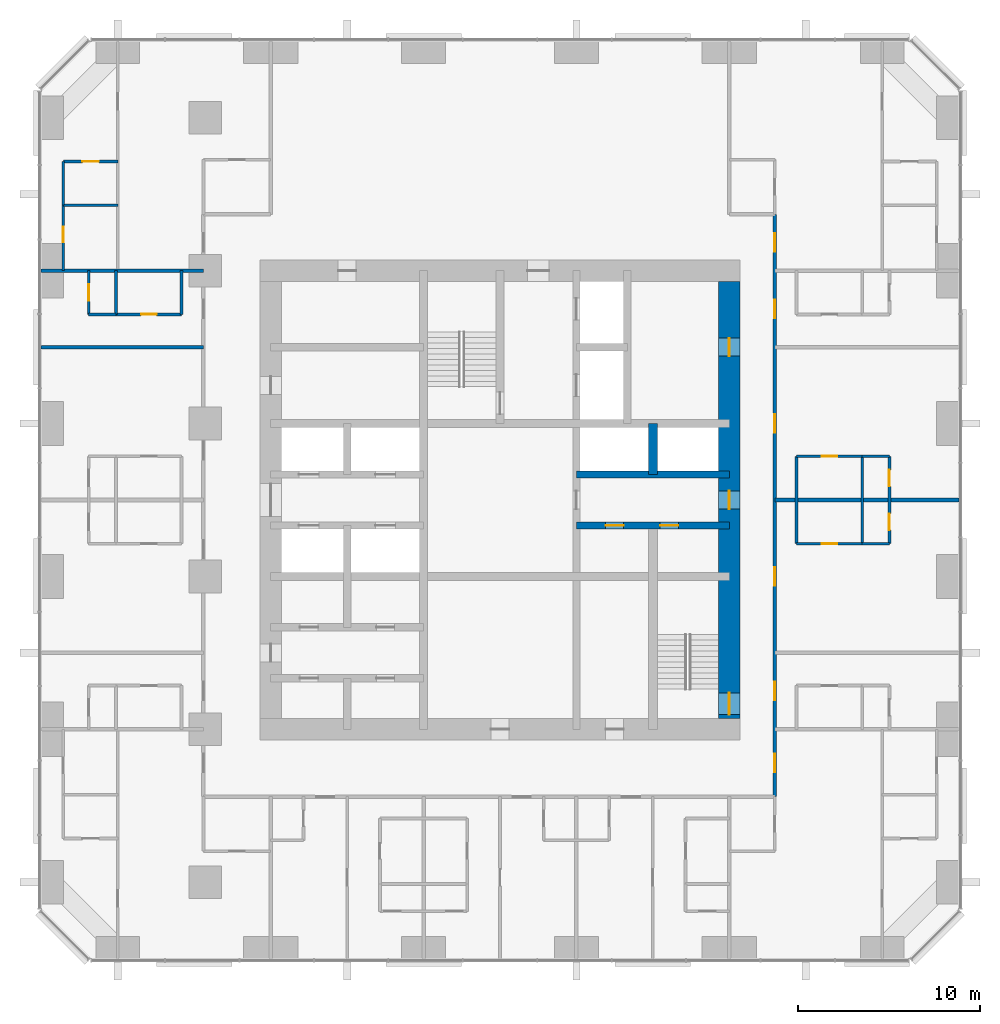
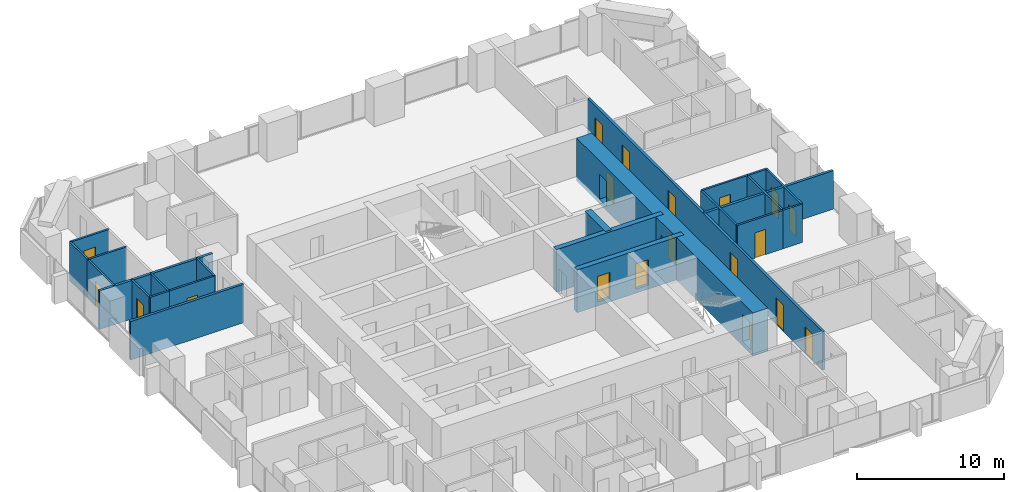
# One storey, part 11 of 13: 24 walls, 19 doors, 19 openings.
"""IFC4 building model written with IfcOpenShell, lengths in metres."""

from ifc_helpers import new_model, si_unit, direction, frame, frame_2d, origin, place, context, subcontext, project, spatial, rectangle, extrude, material, layer, layer_set, type_object, element, fill, save


model = new_model("IFC4")

# Units and contexts
model_context = context("Model", 3, precision=1e-05, world=origin(), true_north=direction((0.0, 1.0)))
body_context = subcontext(model_context, "Body", "Model", "MODEL_VIEW")
ifc_project = project(units=[si_unit("LENGTHUNIT", "METRE"), si_unit("AREAUNIT", "SQUARE_METRE"), si_unit("VOLUMEUNIT", "CUBIC_METRE"), si_unit("PLANEANGLEUNIT", "RADIAN"), si_unit("MASSUNIT", "GRAM", prefix="KILO")], contexts=[model_context])

# Site, building, storey
site_placement = place(None, origin())
site = spatial("IfcSite", under=ifc_project, at=site_placement, CompositionType="ELEMENT")
building_placement = place(site_placement, origin())
building = spatial("IfcBuilding", under=site, at=building_placement, Name="Dunama Terrace Hotel", CompositionType="ELEMENT")
storey_placement = place(building_placement, frame((0.0, 0.0, 216.60009765625)))
storey = spatial("IfcBuildingStorey", under=building, at=storey_placement, Name="L56", CompositionType="ELEMENT", Elevation=216.60009765625)

# Wall, opening, door
ifc_material_1 = material(Name="Gypsum board partition", Category="masonry")
ifc_layer_1 = layer(ifc_material_1, 0.14990234375)
ifc_layer_set_1 = layer_set([ifc_layer_1], Name="Bathroom partition 150")
wall_type_1 = type_object("IfcWallType", Name="Bathroom partition 150", PredefinedType="PARTITIONING", material=ifc_layer_set_1)
wall_1_placement = place(storey_placement, frame((5.39990234375, 42.0, 0.0), z_axis=(0.0, 0.0, 1.0), x_axis=(0.0, 1.0, 0.0)))
wall_1 = element("IfcWall", 1, at=wall_1_placement, inside=storey, type_object=wall_type_1, Name="Bathroom partition 150 L56", PredefinedType="PARTITIONING", context=body_context, shape_type="SweptSolid", body=[
    extrude(rectangle(XDim=3.60009765625, YDim=0.14990234375, at=frame_2d((1.800048828125, 0.0))), origin(), (0.0, 0.0, 1.0), 3.199951171875),
])
opening_1_placement = place(wall_1_placement, frame((1.574951171875, 0.0, 0.0)))
opening_1 = element("IfcOpeningElement", 2, at=opening_1_placement, cuts=wall_1, Name="Opening L56-066", PredefinedType="OPENING", context=body_context, shape_type="SweptSolid", body=[
    extrude(rectangle(XDim=0.85009765625, YDim=2.10009765625, at=frame_2d((0.425048828125, 1.050048828125))), frame((0.0, 0.0849609375, 0.0), z_axis=(0.0, -1.0, 0.0), x_axis=(1.0, 0.0, 0.0)), (0.0, 0.0, 1.0), 0.169921875),
])
ifc_material_2 = material(Name="Timber door with steel frame", Category="steel")
door_type_1 = type_object("IfcDoorType", Name="Bathroom door 850", OperationType="SINGLE_SWING_LEFT", PredefinedType="DOOR", material=ifc_material_2)
door_1_placement = place(opening_1_placement, frame((0.85009765625, 0.0, 0.0), z_axis=(0.0, 0.0, 1.0), x_axis=(-1.0, 0.0, 0.0)))
door_1 = element("IfcDoor", 3, at=door_1_placement, inside=storey, type_object=door_type_1, Name="Door to en-suite bathroom L56-066, type D2", OperationType="SINGLE_SWING_RIGHT", OverallHeight=2.10009765625, OverallWidth=0.85009765625, PredefinedType="DOOR", context=body_context, shape_type="SweptSolid", body=[
    extrude(rectangle(XDim=0.85009765625, YDim=2.10009765625, at=frame_2d((0.425048828125, 1.050048828125))), frame((0.0, 0.025146484375, 0.0), z_axis=(0.0, -1.0, 0.0), x_axis=(1.0, 0.0, 0.0)), (0.0, 0.0, 1.0), 0.050048828125),
])
fill(opening_1, door_1)

# Walls
wall_2_placement = place(storey_placement, frame((11.89990234375, 39.60009765625, 0.0), z_axis=(0.0, 0.0, 1.0), x_axis=(0.0, 1.0, 0.0)))
element("IfcWall", 4, at=wall_2_placement, inside=storey, type_object=wall_type_1, Name="Bathroom partition 150 L56", PredefinedType="PARTITIONING", context=body_context, shape_type="SweptSolid", body=[
    extrude(rectangle(XDim=2.39990234375, YDim=0.14990234375, at=frame_2d((1.199951171875, 0.0))), origin(), (0.0, 0.0, 1.0), 3.199951171875),
])
wall_3_placement = place(storey_placement, frame((45.699951171875, 27.0, 0.0), z_axis=(0.0, 0.0, 1.0), x_axis=(0.0, 1.0, 0.0)))
element("IfcWall", 5, at=wall_3_placement, inside=storey, type_object=wall_type_1, Name="Bathroom partition 150 L56", PredefinedType="PARTITIONING", context=body_context, shape_type="SweptSolid", body=[
    extrude(rectangle(XDim=4.800048828125, YDim=0.14990234375, at=frame_2d((2.39990234375, 0.0))), origin(), (0.0, 0.0, 1.0), 3.199951171875),
])

# Wall, opening, door
wall_4_placement = place(storey_placement, frame((45.699951171875, 27.0, 0.0), z_axis=(0.0, 0.0, 1.0), x_axis=(1.0, 0.0, 0.0)))
wall_4 = element("IfcWall", 6, at=wall_4_placement, inside=storey, type_object=wall_type_1, Name="Bathroom partition 150 L56", PredefinedType="PARTITIONING", context=body_context, shape_type="SweptSolid", body=[
    extrude(rectangle(XDim=3.60009765625, YDim=0.14990234375, at=frame_2d((1.800048828125, 0.0))), origin(), (0.0, 0.0, 1.0), 3.199951171875),
])
opening_2_placement = place(wall_4_placement, frame((1.375, 0.0, 0.0)))
opening_2 = element("IfcOpeningElement", 7, at=opening_2_placement, cuts=wall_4, Name="Opening L56-028", PredefinedType="OPENING", context=body_context, shape_type="SweptSolid", body=[
    extrude(rectangle(XDim=0.85009765625, YDim=2.10009765625, at=frame_2d((0.425048828125, 1.050048828125))), frame((0.0, 0.0849609375, 0.0), z_axis=(0.0, -1.0, 0.0), x_axis=(1.0, 0.0, 0.0)), (0.0, 0.0, 1.0), 0.169921875),
])
door_2_placement = place(opening_2_placement, origin())
door_2 = element("IfcDoor", 8, at=door_2_placement, inside=storey, type_object=door_type_1, Name="Door to en-suite bathroom L56-028, type D2", OperationType="SINGLE_SWING_RIGHT", OverallHeight=2.10009765625, OverallWidth=0.85009765625, PredefinedType="DOOR", context=body_context, shape_type="SweptSolid", body=[
    extrude(rectangle(XDim=0.85009765625, YDim=2.10009765625, at=frame_2d((0.425048828125, 1.050048828125))), frame((0.0, 0.02490234375, 0.0), z_axis=(0.0, -1.0, 0.0), x_axis=(1.0, 0.0, 0.0)), (0.0, 0.0, 1.0), 0.050048828125),
])
fill(opening_2, door_2)

wall_5_placement = place(storey_placement, frame((45.699951171875, 31.800048828125, 0.0), z_axis=(0.0, 0.0, 1.0), x_axis=(1.0, 0.0, 0.0)))
wall_5 = element("IfcWall", 9, at=wall_5_placement, inside=storey, type_object=wall_type_1, Name="Bathroom partition 150 L56", PredefinedType="PARTITIONING", context=body_context, shape_type="SweptSolid", body=[
    extrude(rectangle(XDim=3.60009765625, YDim=0.14990234375, at=frame_2d((1.800048828125, 0.0))), origin(), (0.0, 0.0, 1.0), 3.199951171875),
])
opening_3_placement = place(wall_5_placement, frame((1.375, 0.0, 0.0)))
opening_3 = element("IfcOpeningElement", 10, at=opening_3_placement, cuts=wall_5, Name="Opening L56-031", PredefinedType="OPENING", context=body_context, shape_type="SweptSolid", body=[
    extrude(rectangle(XDim=0.85009765625, YDim=2.10009765625, at=frame_2d((0.425048828125, 1.050048828125))), frame((0.0, 0.0849609375, 0.0), z_axis=(0.0, -1.0, 0.0), x_axis=(1.0, 0.0, 0.0)), (0.0, 0.0, 1.0), 0.169921875),
])
door_3_placement = place(opening_3_placement, frame((0.85009765625, 0.0, 0.0), z_axis=(0.0, 0.0, 1.0), x_axis=(-1.0, 0.0, 0.0)))
door_3 = element("IfcDoor", 11, at=door_3_placement, inside=storey, type_object=door_type_1, Name="Door to en-suite bathroom L56-031, type D2", OperationType="SINGLE_SWING_LEFT", OverallHeight=2.10009765625, OverallWidth=0.85009765625, PredefinedType="DOOR", context=body_context, shape_type="SweptSolid", body=[
    extrude(rectangle(XDim=0.85009765625, YDim=2.10009765625, at=frame_2d((0.425048828125, 1.050048828125))), frame((0.0, 0.025146484375, 0.0), z_axis=(0.0, -1.0, 0.0), x_axis=(1.0, 0.0, 0.0)), (0.0, 0.0, 1.0), 0.050048828125),
])
fill(opening_3, door_3)

wall_6_placement = place(storey_placement, frame((8.300048828125, 39.60009765625, 0.0), z_axis=(0.0, 0.0, 1.0), x_axis=(1.0, 0.0, 0.0)))
wall_6 = element("IfcWall", 12, at=wall_6_placement, inside=storey, type_object=wall_type_1, Name="Bathroom partition 150 L56", PredefinedType="PARTITIONING", context=body_context, shape_type="SweptSolid", body=[
    extrude(rectangle(XDim=3.599853515625, YDim=0.14990234375, at=frame_2d((1.7998046875, 0.0))), origin(), (0.0, 0.0, 1.0), 3.199951171875),
])
opening_4_placement = place(wall_6_placement, frame((1.375, 0.0, 0.0)))
opening_4 = element("IfcOpeningElement", 13, at=opening_4_placement, cuts=wall_6, Name="Opening L56-046", PredefinedType="OPENING", context=body_context, shape_type="SweptSolid", body=[
    extrude(rectangle(XDim=0.85009765625, YDim=2.10009765625, at=frame_2d((0.425048828125, 1.050048828125))), frame((0.0, 0.0849609375, 0.0), z_axis=(0.0, -1.0, 0.0), x_axis=(1.0, 0.0, 0.0)), (0.0, 0.0, 1.0), 0.169921875),
])
door_4_placement = place(opening_4_placement, origin())
door_4 = element("IfcDoor", 14, at=door_4_placement, inside=storey, type_object=door_type_1, Name="Door to en-suite bathroom L56-046, type D2", OperationType="SINGLE_SWING_LEFT", OverallHeight=2.10009765625, OverallWidth=0.85009765625, PredefinedType="DOOR", context=body_context, shape_type="SweptSolid", body=[
    extrude(rectangle(XDim=0.85009765625, YDim=2.10009765625, at=frame_2d((0.425048828125, 1.050048828125))), frame((0.0, 0.02490234375, 0.0), z_axis=(0.0, -1.0, 0.0), x_axis=(1.0, 0.0, 0.0)), (0.0, 0.0, 1.0), 0.050048828125),
])
fill(opening_4, door_4)

# Wall, openings, doors
ifc_material_3 = material(Name="Concrete C50/60", Category="concrete")
ifc_layer_2 = layer(ifc_material_3, 0.39990234375)
ifc_layer_set_2 = layer_set([ifc_layer_2], Name="Core inner wall 400")
wall_type_2 = type_object("IfcWallType", Name="Core inner wall 400", PredefinedType="SHEAR", material=ifc_layer_set_2)
wall_7_placement = place(storey_placement, frame((33.60009765625, 28.0, -0.35009765625), z_axis=(0.0, 0.0, 1.0), x_axis=(1.0, 0.0, 0.0)))
wall_7 = element("IfcWall", 15, at=wall_7_placement, inside=storey, type_object=wall_type_2, Name="Core inner wall 400 L56", PredefinedType="SHEAR", context=body_context, shape_type="SweptSolid", body=[
    extrude(rectangle(XDim=8.39990234375, YDim=0.39990234375, at=frame_2d((4.199951171875, 0.0))), origin(), (0.0, 0.0, 1.0), 3.550048828125),
])
opening_5_placement = place(wall_7_placement, frame((1.60009765625, 0.0, 0.35009765625)))
opening_5 = element("IfcOpeningElement", 16, at=opening_5_placement, cuts=wall_7, Name="Opening L56-077", PredefinedType="OPENING", context=body_context, shape_type="SweptSolid", body=[
    extrude(rectangle(XDim=1.0, YDim=2.10009765625, at=frame_2d((0.5, 1.050048828125))), frame((0.0, 0.2099609375, 0.0), z_axis=(0.0, -1.0, 0.0), x_axis=(1.0, 0.0, 0.0)), (0.0, 0.0, 1.0), 0.419921875),
])
opening_6_placement = place(wall_7_placement, frame((4.60009765625, 0.0, 0.35009765625)))
opening_6 = element("IfcOpeningElement", 17, at=opening_6_placement, cuts=wall_7, Name="Opening L56-078", PredefinedType="OPENING", context=body_context, shape_type="SweptSolid", body=[
    extrude(rectangle(XDim=1.0, YDim=2.10009765625, at=frame_2d((0.5, 1.050048828125))), frame((0.0, 0.2099609375, 0.0), z_axis=(0.0, -1.0, 0.0), x_axis=(1.0, 0.0, 0.0)), (0.0, 0.0, 1.0), 0.419921875),
])
ifc_material_4 = material(Name="Timber door with steel frame", Category="steel")
door_type_2 = type_object("IfcDoorType", Name="Service door 1000", OperationType="SINGLE_SWING_LEFT", PredefinedType="DOOR", material=ifc_material_4)
door_5_placement = place(opening_5_placement, frame((1.0, 0.0, 0.0), z_axis=(0.0, 0.0, 1.0), x_axis=(-1.0, 0.0, 0.0)))
door_5 = element("IfcDoor", 18, at=door_5_placement, inside=storey, type_object=door_type_2, Name="Door to service riser L56-077, type D7", OperationType="SINGLE_SWING_LEFT", OverallHeight=2.10009765625, OverallWidth=1.0, PredefinedType="DOOR", context=body_context, shape_type="SweptSolid", body=[
    extrude(rectangle(XDim=1.0, YDim=2.10009765625, at=frame_2d((0.5, 1.050048828125))), frame((0.0, 0.025146484375, 0.0), z_axis=(0.0, -1.0, 0.0), x_axis=(1.0, 0.0, 0.0)), (0.0, 0.0, 1.0), 0.050048828125),
])
fill(opening_5, door_5)
door_6_placement = place(opening_6_placement, frame((1.0, 0.0, 0.0), z_axis=(0.0, 0.0, 1.0), x_axis=(-1.0, 0.0, 0.0)))
door_6 = element("IfcDoor", 19, at=door_6_placement, inside=storey, type_object=door_type_2, Name="Door to cleaners store L56-078, type D7", OperationType="SINGLE_SWING_RIGHT", OverallHeight=2.10009765625, OverallWidth=1.0, PredefinedType="DOOR", context=body_context, shape_type="SweptSolid", body=[
    extrude(rectangle(XDim=1.0, YDim=2.10009765625, at=frame_2d((0.5, 1.050048828125))), frame((0.0, 0.025146484375, 0.0), z_axis=(0.0, -1.0, 0.0), x_axis=(1.0, 0.0, 0.0)), (0.0, 0.0, 1.0), 0.050048828125),
])
fill(opening_6, door_6)

# Walls
wall_8_placement = place(storey_placement, frame((33.60009765625, 30.800048828125, -0.35009765625), z_axis=(0.0, 0.0, 1.0), x_axis=(1.0, 0.0, 0.0)))
element("IfcWall", 20, at=wall_8_placement, inside=storey, type_object=wall_type_2, Name="Core inner wall 400 L56", PredefinedType="SHEAR", context=body_context, shape_type="SweptSolid", body=[
    extrude(rectangle(XDim=8.39990234375, YDim=0.39990234375, at=frame_2d((4.199951171875, 0.0))), origin(), (0.0, 0.0, 1.0), 3.550048828125),
])
ifc_material_5 = material(Name="Concrete C50/60", Category="concrete")
ifc_layer_3 = layer(ifc_material_5, 0.5)
ifc_layer_set_3 = layer_set([ifc_layer_3], Name="Core inner wall 500")
wall_type_3 = type_object("IfcWallType", Name="Core inner wall 500", PredefinedType="SHEAR", material=ifc_layer_set_3)
wall_9_placement = place(storey_placement, frame((37.800048828125, 30.800048828125, -0.35009765625), z_axis=(0.0, 0.0, 1.0), x_axis=(0.0, 1.0, 0.0)))
element("IfcWall", 21, at=wall_9_placement, inside=storey, type_object=wall_type_3, Name="Core inner wall 500 L56", PredefinedType="SHEAR", context=body_context, shape_type="SweptSolid", body=[
    extrude(rectangle(XDim=2.800048828125, YDim=0.5, at=frame_2d((1.39990234375, 0.0))), origin(), (0.0, 0.0, 1.0), 3.550048828125),
])

# Wall, openings, doors
ifc_material_6 = material(Name="Concrete C60/75", Category="concrete")
ifc_layer_4 = layer(ifc_material_6, 1.199951171875)
ifc_layer_set_4 = layer_set([ifc_layer_4], Name="Core wall 1200")
wall_type_4 = type_object("IfcWallType", Name="Core wall 1200", PredefinedType="SHEAR", material=ifc_layer_set_4)
wall_10_placement = place(storey_placement, frame((42.0, 17.39990234375, -0.35009765625), z_axis=(0.0, 0.0, 1.0), x_axis=(0.0, 1.0, 0.0)))
wall_10 = element("IfcWall", 22, at=wall_10_placement, inside=storey, type_object=wall_type_4, Name="Core wall east L56", PredefinedType="SHEAR", context=body_context, shape_type="SweptSolid", body=[
    extrude(rectangle(XDim=24.0, YDim=1.199951171875, at=frame_2d((12.0, 0.0))), origin(), (0.0, 0.0, 1.0), 3.550048828125),
])
opening_7_placement = place(wall_10_placement, frame((0.199951171875, 0.0, 0.35009765625)))
opening_7 = element("IfcOpeningElement", 23, at=opening_7_placement, cuts=wall_10, Name="Opening L56-002", PredefinedType="OPENING", context=body_context, shape_type="SweptSolid", body=[
    extrude(rectangle(XDim=1.199951171875, YDim=2.199951171875, at=frame_2d((0.60009765625, 1.10009765625))), frame((0.0, 0.60986328125, 0.0), z_axis=(0.0, -1.0, 0.0), x_axis=(1.0, 0.0, 0.0)), (0.0, 0.0, 1.0), 1.219970703125),
])
opening_8_placement = place(wall_10_placement, frame((11.5, 0.0, 0.35009765625)))
opening_8 = element("IfcOpeningElement", 24, at=opening_8_placement, cuts=wall_10, Name="Opening L56-079", PredefinedType="OPENING", context=body_context, shape_type="SweptSolid", body=[
    extrude(rectangle(XDim=1.0, YDim=2.10009765625, at=frame_2d((0.5, 1.050048828125))), frame((0.0, 0.60986328125, 0.0), z_axis=(0.0, -1.0, 0.0), x_axis=(1.0, 0.0, 0.0)), (0.0, 0.0, 1.0), 1.219970703125),
])
opening_9_placement = place(wall_10_placement, frame((19.89990234375, 0.0, 0.35009765625)))
opening_9 = element("IfcOpeningElement", 25, at=opening_9_placement, cuts=wall_10, Name="Opening L56-081", PredefinedType="OPENING", context=body_context, shape_type="SweptSolid", body=[
    extrude(rectangle(XDim=1.0, YDim=2.10009765625, at=frame_2d((0.5, 1.050048828125))), frame((0.0, 0.60986328125, 0.0), z_axis=(0.0, -1.0, 0.0), x_axis=(1.0, 0.0, 0.0)), (0.0, 0.0, 1.0), 1.219970703125),
])
door_7_placement = place(opening_8_placement, origin())
door_7 = element("IfcDoor", 26, at=door_7_placement, inside=storey, type_object=door_type_2, Name="Door to service lobby L56-079, type D7", OperationType="SINGLE_SWING_LEFT", OverallHeight=2.10009765625, OverallWidth=1.0, PredefinedType="DOOR", context=body_context, shape_type="SweptSolid", body=[
    extrude(rectangle(XDim=1.0, YDim=2.10009765625, at=frame_2d((0.5, 1.050048828125))), frame((0.0, 0.02490234375, 0.0), z_axis=(0.0, -1.0, 0.0), x_axis=(1.0, 0.0, 0.0)), (0.0, 0.0, 1.0), 0.050048828125),
])
fill(opening_8, door_7)
door_8_placement = place(opening_9_placement, origin())
door_8 = element("IfcDoor", 27, at=door_8_placement, inside=storey, type_object=door_type_2, Name="Door to housekeeping store L56-081, type D7", OperationType="SINGLE_SWING_LEFT", OverallHeight=2.10009765625, OverallWidth=1.0, PredefinedType="DOOR", context=body_context, shape_type="SweptSolid", body=[
    extrude(rectangle(XDim=1.0, YDim=2.10009765625, at=frame_2d((0.5, 1.050048828125))), frame((0.0, 0.02490234375, 0.0), z_axis=(0.0, -1.0, 0.0), x_axis=(1.0, 0.0, 0.0)), (0.0, 0.0, 1.0), 0.050048828125),
])
fill(opening_9, door_8)
ifc_material_7 = material(Name="Timber door with steel frame", Category="steel")
door_type_3 = type_object("IfcDoorType", Name="Stair door 1200", OperationType="SINGLE_SWING_LEFT", PredefinedType="DOOR", material=ifc_material_7)
door_9_placement = place(opening_7_placement, origin())
door_9 = element("IfcDoor", 28, at=door_9_placement, inside=storey, type_object=door_type_3, Name="Stair door ST2 L56-002, type D5", OperationType="SINGLE_SWING_LEFT", OverallHeight=2.199951171875, OverallWidth=1.199951171875, PredefinedType="DOOR", context=body_context, shape_type="SweptSolid", body=[
    extrude(rectangle(XDim=1.199951171875, YDim=2.199951171875, at=frame_2d((0.60009765625, 1.10009765625))), frame((0.0, 0.02490234375, 0.0), z_axis=(0.0, -1.0, 0.0), x_axis=(1.0, 0.0, 0.0)), (0.0, 0.0, 1.0), 0.050048828125),
])
fill(opening_7, door_9)

ifc_material_8 = material(Name="Concrete blockwork", Category="masonry")
ifc_layer_5 = layer(ifc_material_8, 0.199951171875)
ifc_layer_set_5 = layer_set([ifc_layer_5], Name="Corridor partition 200")
wall_type_5 = type_object("IfcWallType", Name="Corridor partition 200", PredefinedType="PARTITIONING", material=ifc_layer_set_5)
wall_11_placement = place(storey_placement, frame((44.5, 45.10009765625, 0.0), z_axis=(0.0, 0.0, 1.0), x_axis=(0.0, -1.0, 0.0)))
wall_11 = element("IfcWall", 29, at=wall_11_placement, inside=storey, type_object=wall_type_5, Name="Corridor partition 200 L56", PredefinedType="PARTITIONING", context=body_context, shape_type="SweptSolid", body=[
    extrude(rectangle(XDim=32.0, YDim=0.199951171875, at=frame_2d((16.0, 0.0))), origin(), (0.0, 0.0, 1.0), 3.199951171875),
])
opening_10_placement = place(wall_11_placement, frame((25.699951171875, 0.0, 0.0)))
opening_10 = element("IfcOpeningElement", 30, at=opening_10_placement, cuts=wall_11, Name="Opening L56-024", PredefinedType="OPENING", context=body_context, shape_type="SweptSolid", body=[
    extrude(rectangle(XDim=1.0, YDim=2.199951171875, at=frame_2d((0.5, 1.10009765625))), frame((0.0, 0.10986328125, 0.0), z_axis=(0.0, -1.0, 0.0), x_axis=(1.0, 0.0, 0.0)), (0.0, 0.0, 1.0), 0.219970703125),
])
opening_11_placement = place(wall_11_placement, frame((19.39990234375, 0.0, 0.0)))
opening_11 = element("IfcOpeningElement", 31, at=opening_11_placement, cuts=wall_11, Name="Opening L56-027", PredefinedType="OPENING", context=body_context, shape_type="SweptSolid", body=[
    extrude(rectangle(XDim=1.0, YDim=2.199951171875, at=frame_2d((0.5, 1.10009765625))), frame((0.0, 0.10986328125, 0.0), z_axis=(0.0, -1.0, 0.0), x_axis=(1.0, 0.0, 0.0)), (0.0, 0.0, 1.0), 0.219970703125),
])
opening_12_placement = place(wall_11_placement, frame((11.0, 0.0, 0.0)))
opening_12 = element("IfcOpeningElement", 32, at=opening_12_placement, cuts=wall_11, Name="Opening L56-030", PredefinedType="OPENING", context=body_context, shape_type="SweptSolid", body=[
    extrude(rectangle(XDim=1.0, YDim=2.199951171875, at=frame_2d((0.5, 1.10009765625))), frame((0.0, 0.10986328125, 0.0), z_axis=(0.0, -1.0, 0.0), x_axis=(1.0, 0.0, 0.0)), (0.0, 0.0, 1.0), 0.219970703125),
])
opening_13_placement = place(wall_11_placement, frame((4.699951171875, 0.0, 0.0)))
opening_13 = element("IfcOpeningElement", 33, at=opening_13_placement, cuts=wall_11, Name="Opening L56-033", PredefinedType="OPENING", context=body_context, shape_type="SweptSolid", body=[
    extrude(rectangle(XDim=1.0, YDim=2.199951171875, at=frame_2d((0.5, 1.10009765625))), frame((0.0, 0.10986328125, 0.0), z_axis=(0.0, -1.0, 0.0), x_axis=(1.0, 0.0, 0.0)), (0.0, 0.0, 1.0), 0.219970703125),
])
opening_14_placement = place(wall_11_placement, frame((29.64990234375, 0.0, 0.0)))
opening_14 = element("IfcOpeningElement", 34, at=opening_14_placement, cuts=wall_11, Name="Opening L56-053", PredefinedType="OPENING", context=body_context, shape_type="SweptSolid", body=[
    extrude(rectangle(XDim=1.0, YDim=2.199951171875, at=frame_2d((0.5, 1.10009765625))), frame((0.0, 0.10986328125, 0.0), z_axis=(0.0, -1.0, 0.0), x_axis=(1.0, 0.0, 0.0)), (0.0, 0.0, 1.0), 0.219970703125),
])
opening_15_placement = place(wall_11_placement, frame((1.050048828125, 0.0, 0.0)))
opening_15 = element("IfcOpeningElement", 35, at=opening_15_placement, cuts=wall_11, Name="Opening L56-058", PredefinedType="OPENING", context=body_context, shape_type="SweptSolid", body=[
    extrude(rectangle(XDim=1.0, YDim=2.199951171875, at=frame_2d((0.5, 1.10009765625))), frame((0.0, 0.10986328125, 0.0), z_axis=(0.0, -1.0, 0.0), x_axis=(1.0, 0.0, 0.0)), (0.0, 0.0, 1.0), 0.219970703125),
])
ifc_material_9 = material(Name="Timber door with steel frame", Category="steel")
door_type_4 = type_object("IfcDoorType", Name="Guest room door 1000", OperationType="SINGLE_SWING_LEFT", PredefinedType="DOOR", material=ifc_material_9)
door_10_placement = place(opening_10_placement, origin())
door_10 = element("IfcDoor", 36, at=door_10_placement, inside=storey, type_object=door_type_4, Name="Door to club room L56-024, type D1", OperationType="SINGLE_SWING_RIGHT", OverallHeight=2.199951171875, OverallWidth=1.0, PredefinedType="DOOR", context=body_context, shape_type="SweptSolid", body=[
    extrude(rectangle(XDim=1.0, YDim=2.199951171875, at=frame_2d((0.5, 1.10009765625))), frame((0.0, 0.02490234375, 0.0), z_axis=(0.0, -1.0, 0.0), x_axis=(1.0, 0.0, 0.0)), (0.0, 0.0, 1.0), 0.050048828125),
])
fill(opening_10, door_10)
door_11_placement = place(opening_11_placement, origin())
door_11 = element("IfcDoor", 37, at=door_11_placement, inside=storey, type_object=door_type_4, Name="Door to junior suite L56-027, type D1", OperationType="SINGLE_SWING_LEFT", OverallHeight=2.199951171875, OverallWidth=1.0, PredefinedType="DOOR", context=body_context, shape_type="SweptSolid", body=[
    extrude(rectangle(XDim=1.0, YDim=2.199951171875, at=frame_2d((0.5, 1.10009765625))), frame((0.0, 0.02490234375, 0.0), z_axis=(0.0, -1.0, 0.0), x_axis=(1.0, 0.0, 0.0)), (0.0, 0.0, 1.0), 0.050048828125),
])
fill(opening_11, door_11)
door_12_placement = place(opening_12_placement, origin())
door_12 = element("IfcDoor", 38, at=door_12_placement, inside=storey, type_object=door_type_4, Name="Door to junior suite L56-030, type D1", OperationType="SINGLE_SWING_RIGHT", OverallHeight=2.199951171875, OverallWidth=1.0, PredefinedType="DOOR", context=body_context, shape_type="SweptSolid", body=[
    extrude(rectangle(XDim=1.0, YDim=2.199951171875, at=frame_2d((0.5, 1.10009765625))), frame((0.0, 0.02490234375, 0.0), z_axis=(0.0, -1.0, 0.0), x_axis=(1.0, 0.0, 0.0)), (0.0, 0.0, 1.0), 0.050048828125),
])
fill(opening_12, door_12)
door_13_placement = place(opening_13_placement, origin())
door_13 = element("IfcDoor", 39, at=door_13_placement, inside=storey, type_object=door_type_4, Name="Door to club room L56-033, type D1", OperationType="SINGLE_SWING_LEFT", OverallHeight=2.199951171875, OverallWidth=1.0, PredefinedType="DOOR", context=body_context, shape_type="SweptSolid", body=[
    extrude(rectangle(XDim=1.0, YDim=2.199951171875, at=frame_2d((0.5, 1.10009765625))), frame((0.0, 0.02490234375, 0.0), z_axis=(0.0, -1.0, 0.0), x_axis=(1.0, 0.0, 0.0)), (0.0, 0.0, 1.0), 0.050048828125),
])
fill(opening_13, door_13)
door_14_placement = place(opening_14_placement, origin())
door_14 = element("IfcDoor", 40, at=door_14_placement, inside=storey, type_object=door_type_4, Name="Door to corner suite living room L56-053, type D1", OperationType="SINGLE_SWING_LEFT", OverallHeight=2.199951171875, OverallWidth=1.0, PredefinedType="DOOR", context=body_context, shape_type="SweptSolid", body=[
    extrude(rectangle(XDim=1.0, YDim=2.199951171875, at=frame_2d((0.5, 1.10009765625))), frame((0.0, 0.02490234375, 0.0), z_axis=(0.0, -1.0, 0.0), x_axis=(1.0, 0.0, 0.0)), (0.0, 0.0, 1.0), 0.050048828125),
])
fill(opening_14, door_14)
door_15_placement = place(opening_15_placement, origin())
door_15 = element("IfcDoor", 41, at=door_15_placement, inside=storey, type_object=door_type_4, Name="Door to corner suite living room L56-058, type D1", OperationType="SINGLE_SWING_LEFT", OverallHeight=2.199951171875, OverallWidth=1.0, PredefinedType="DOOR", context=body_context, shape_type="SweptSolid", body=[
    extrude(rectangle(XDim=1.0, YDim=2.199951171875, at=frame_2d((0.5, 1.10009765625))), frame((0.0, 0.02490234375, 0.0), z_axis=(0.0, -1.0, 0.0), x_axis=(1.0, 0.0, 0.0)), (0.0, 0.0, 1.0), 0.050048828125),
])
fill(opening_15, door_15)

# Walls
ifc_material_10 = material(Name="Concrete blockwork", Category="masonry")
ifc_layer_6 = layer(ifc_material_10, 0.199951171875)
ifc_layer_set_6 = layer_set([ifc_layer_6], Name="Party wall 200")
wall_type_6 = type_object("IfcWallType", Name="Party wall 200", PredefinedType="PARTITIONING", material=ifc_layer_set_6)
wall_12_placement = place(storey_placement, frame((44.5, 29.39990234375, 0.0), z_axis=(0.0, 0.0, 1.0), x_axis=(1.0, 0.0, 0.0)))
element("IfcWall", 42, at=wall_12_placement, inside=storey, type_object=wall_type_6, Name="Party wall 200 L56", PredefinedType="PARTITIONING", context=body_context, shape_type="SweptSolid", body=[
    extrude(rectangle(XDim=10.117919921875, YDim=0.199951171875, at=frame_2d((5.05908203125, 0.0))), origin(), (0.0, 0.0, 1.0), 3.199951171875),
])
for number, where, z_axis, x_axis, name in (
    (43, (4.181884765625, 37.800048828125, 0.0), (0.0, 0.0, 1.0), (1.0, 0.0, 0.0), "Party wall 200 L56"),
    (44, (4.181884765625, 42.0, 0.0), (0.0, 0.0, 1.0), (1.0, 0.0, 0.0), "Party wall 200 L56"),
):
    element("IfcWall", number, at=place(storey_placement, frame(where, z_axis=z_axis, x_axis=x_axis)), inside=storey, type_object=wall_type_6, Name=name, PredefinedType="PARTITIONING", context=body_context, shape_type="SweptSolid", body=[
        extrude(rectangle(XDim=8.918212890625, YDim=0.199951171875, at=frame_2d((4.458984375, 0.0))), origin(), (0.0, 0.0, 1.0), 3.199951171875),
    ])
ifc_material_11 = material(Name="Gypsum board partition", Category="masonry")
ifc_layer_7 = layer(ifc_material_11, 0.14990234375)
ifc_layer_set_7 = layer_set([ifc_layer_7], Name="Room partition 150")
wall_type_7 = type_object("IfcWallType", Name="Room partition 150", PredefinedType="PARTITIONING", material=ifc_layer_set_7)
wall_13_placement = place(storey_placement, frame((5.39990234375, 45.60009765625, 0.0), z_axis=(0.0, 0.0, 1.0), x_axis=(0.0, 1.0, 0.0)))
element("IfcWall", 45, at=wall_13_placement, inside=storey, type_object=wall_type_7, Name="Room partition 150 L56", PredefinedType="PARTITIONING", context=body_context, shape_type="SweptSolid", body=[
    extrude(rectangle(XDim=2.39990234375, YDim=0.14990234375, at=frame_2d((1.199951171875, 0.0))), origin(), (0.0, 0.0, 1.0), 3.199951171875),
])

# Wall, opening, door
wall_14_placement = place(storey_placement, frame((6.800048828125, 39.60009765625, 0.0), z_axis=(0.0, 0.0, 1.0), x_axis=(0.0, 1.0, 0.0)))
wall_14 = element("IfcWall", 46, at=wall_14_placement, inside=storey, type_object=wall_type_7, Name="Room partition 150 L56", PredefinedType="PARTITIONING", context=body_context, shape_type="SweptSolid", body=[
    extrude(rectangle(XDim=2.39990234375, YDim=0.14990234375, at=frame_2d((1.199951171875, 0.0))), origin(), (0.0, 0.0, 1.0), 3.199951171875),
])
opening_16_placement = place(wall_14_placement, frame((0.75, 0.0, 0.0)))
opening_16 = element("IfcOpeningElement", 47, at=opening_16_placement, cuts=wall_14, Name="Opening L56-047", PredefinedType="OPENING", context=body_context, shape_type="SweptSolid", body=[
    extrude(rectangle(XDim=0.89990234375, YDim=2.10009765625, at=frame_2d((0.449951171875, 1.050048828125))), frame((0.0, 0.0849609375, 0.0), z_axis=(0.0, -1.0, 0.0), x_axis=(1.0, 0.0, 0.0)), (0.0, 0.0, 1.0), 0.169921875),
])
ifc_material_12 = material(Name="Timber door with steel frame", Category="steel")
door_type_5 = type_object("IfcDoorType", Name="Suite internal door 900", OperationType="SINGLE_SWING_LEFT", PredefinedType="DOOR", material=ifc_material_12)
door_16_placement = place(opening_16_placement, frame((0.89990234375, 0.0, 0.0), z_axis=(0.0, 0.0, 1.0), x_axis=(-1.0, 0.0, 0.0)))
door_16 = element("IfcDoor", 48, at=door_16_placement, inside=storey, type_object=door_type_5, Name="Door to walk-in wardrobe L56-047, type D16", OperationType="SINGLE_SWING_LEFT", OverallHeight=2.10009765625, OverallWidth=0.89990234375, PredefinedType="DOOR", context=body_context, shape_type="SweptSolid", body=[
    extrude(rectangle(XDim=0.89990234375, YDim=2.10009765625, at=frame_2d((0.449951171875, 1.050048828125))), frame((0.0, 0.025146484375, 0.0), z_axis=(0.0, -1.0, 0.0), x_axis=(1.0, 0.0, 0.0)), (0.0, 0.0, 1.0), 0.050048828125),
])
fill(opening_16, door_16)

# Walls
wall_15_placement = place(storey_placement, frame((8.300048828125, 39.60009765625, 0.0), z_axis=(0.0, 0.0, 1.0), x_axis=(0.0, 1.0, 0.0)))
element("IfcWall", 49, at=wall_15_placement, inside=storey, type_object=wall_type_7, Name="Room partition 150 L56", PredefinedType="PARTITIONING", context=body_context, shape_type="SweptSolid", body=[
    extrude(rectangle(XDim=2.39990234375, YDim=0.14990234375, at=frame_2d((1.199951171875, 0.0))), origin(), (0.0, 0.0, 1.0), 3.199951171875),
])
wall_16_placement = place(storey_placement, frame((49.300048828125, 27.0, 0.0), z_axis=(0.0, 0.0, 1.0), x_axis=(0.0, 1.0, 0.0)))
element("IfcWall", 50, at=wall_16_placement, inside=storey, type_object=wall_type_7, Name="Room partition 150 L56", PredefinedType="PARTITIONING", context=body_context, shape_type="SweptSolid", body=[
    extrude(rectangle(XDim=4.800048828125, YDim=0.14990234375, at=frame_2d((2.39990234375, 0.0))), origin(), (0.0, 0.0, 1.0), 3.199951171875),
])

# Wall, openings, doors
wall_17_placement = place(storey_placement, frame((50.800048828125, 27.0, 0.0), z_axis=(0.0, 0.0, 1.0), x_axis=(0.0, 1.0, 0.0)))
wall_17 = element("IfcWall", 51, at=wall_17_placement, inside=storey, type_object=wall_type_7, Name="Room partition 150 L56", PredefinedType="PARTITIONING", context=body_context, shape_type="SweptSolid", body=[
    extrude(rectangle(XDim=4.800048828125, YDim=0.14990234375, at=frame_2d((2.39990234375, 0.0))), origin(), (0.0, 0.0, 1.0), 3.199951171875),
])
opening_17_placement = place(wall_17_placement, frame((0.75, 0.0, 0.0)))
opening_17 = element("IfcOpeningElement", 52, at=opening_17_placement, cuts=wall_17, Name="Opening L56-029", PredefinedType="OPENING", context=body_context, shape_type="SweptSolid", body=[
    extrude(rectangle(XDim=0.89990234375, YDim=2.10009765625, at=frame_2d((0.449951171875, 1.050048828125))), frame((0.0, 0.0849609375, 0.0), z_axis=(0.0, -1.0, 0.0), x_axis=(1.0, 0.0, 0.0)), (0.0, 0.0, 1.0), 0.169921875),
])
opening_18_placement = place(wall_17_placement, frame((3.14990234375, 0.0, 0.0)))
opening_18 = element("IfcOpeningElement", 53, at=opening_18_placement, cuts=wall_17, Name="Opening L56-032", PredefinedType="OPENING", context=body_context, shape_type="SweptSolid", body=[
    extrude(rectangle(XDim=0.89990234375, YDim=2.10009765625, at=frame_2d((0.449951171875, 1.050048828125))), frame((0.0, 0.0849609375, 0.0), z_axis=(0.0, -1.0, 0.0), x_axis=(1.0, 0.0, 0.0)), (0.0, 0.0, 1.0), 0.169921875),
])
door_17_placement = place(opening_17_placement, origin())
door_17 = element("IfcDoor", 54, at=door_17_placement, inside=storey, type_object=door_type_5, Name="Door to walk-in wardrobe L56-029, type D16", OperationType="SINGLE_SWING_LEFT", OverallHeight=2.10009765625, OverallWidth=0.89990234375, PredefinedType="DOOR", context=body_context, shape_type="SweptSolid", body=[
    extrude(rectangle(XDim=0.89990234375, YDim=2.10009765625, at=frame_2d((0.449951171875, 1.050048828125))), frame((0.0, 0.02490234375, 0.0), z_axis=(0.0, -1.0, 0.0), x_axis=(1.0, 0.0, 0.0)), (0.0, 0.0, 1.0), 0.050048828125),
])
fill(opening_17, door_17)
door_18_placement = place(opening_18_placement, origin())
door_18 = element("IfcDoor", 55, at=door_18_placement, inside=storey, type_object=door_type_5, Name="Door to walk-in wardrobe L56-032, type D16", OperationType="SINGLE_SWING_LEFT", OverallHeight=2.10009765625, OverallWidth=0.89990234375, PredefinedType="DOOR", context=body_context, shape_type="SweptSolid", body=[
    extrude(rectangle(XDim=0.89990234375, YDim=2.10009765625, at=frame_2d((0.449951171875, 1.050048828125))), frame((0.0, 0.02490234375, 0.0), z_axis=(0.0, -1.0, 0.0), x_axis=(1.0, 0.0, 0.0)), (0.0, 0.0, 1.0), 0.050048828125),
])
fill(opening_18, door_18)

# Walls
for number, where, z_axis, x_axis, name in (
    (56, (49.300048828125, 27.0, 0.0), (0.0, 0.0, 1.0), (1.0, 0.0, 0.0), "Room partition 150 L56"),
    (57, (49.300048828125, 31.800048828125, 0.0), (0.0, 0.0, 1.0), (1.0, 0.0, 0.0), "Room partition 150 L56"),
    (58, (6.800048828125, 39.60009765625, 0.0), (0.0, 0.0, 1.0), (1.0, 0.0, 0.0), "Room partition 150 L56"),
):
    element("IfcWall", number, at=place(storey_placement, frame(where, z_axis=z_axis, x_axis=x_axis)), inside=storey, type_object=wall_type_7, Name=name, PredefinedType="PARTITIONING", context=body_context, shape_type="SweptSolid", body=[
        extrude(rectangle(XDim=1.5, YDim=0.14990234375, at=frame_2d((0.75, 0.0))), origin(), (0.0, 0.0, 1.0), 3.199951171875),
    ])
wall_18_placement = place(storey_placement, frame((5.39990234375, 45.60009765625, 0.0), z_axis=(0.0, 0.0, 1.0), x_axis=(1.0, 0.0, 0.0)))
element("IfcWall", 59, at=wall_18_placement, inside=storey, type_object=wall_type_7, Name="Room partition 150 L56", PredefinedType="PARTITIONING", context=body_context, shape_type="SweptSolid", body=[
    extrude(rectangle(XDim=3.0, YDim=0.14990234375, at=frame_2d((1.5, 0.0))), origin(), (0.0, 0.0, 1.0), 3.199951171875),
])

# Wall, opening, door
wall_19_placement = place(storey_placement, frame((5.39990234375, 48.0, 0.0), z_axis=(0.0, 0.0, 1.0), x_axis=(1.0, 0.0, 0.0)))
wall_19 = element("IfcWall", 60, at=wall_19_placement, inside=storey, type_object=wall_type_7, Name="Room partition 150 L56", PredefinedType="PARTITIONING", context=body_context, shape_type="SweptSolid", body=[
    extrude(rectangle(XDim=3.0, YDim=0.14990234375, at=frame_2d((1.5, 0.0))), origin(), (0.0, 0.0, 1.0), 3.199951171875),
])
opening_19_placement = place(wall_19_placement, frame((1.050048828125, 0.0, 0.0)))
opening_19 = element("IfcOpeningElement", 61, at=opening_19_placement, cuts=wall_19, Name="Opening L56-067", PredefinedType="OPENING", context=body_context, shape_type="SweptSolid", body=[
    extrude(rectangle(XDim=0.89990234375, YDim=2.10009765625, at=frame_2d((0.449951171875, 1.050048828125))), frame((0.0, 0.0849609375, 0.0), z_axis=(0.0, -1.0, 0.0), x_axis=(1.0, 0.0, 0.0)), (0.0, 0.0, 1.0), 0.169921875),
])
door_19_placement = place(opening_19_placement, frame((0.89990234375, 0.0, 0.0), z_axis=(0.0, 0.0, 1.0), x_axis=(-1.0, 0.0, 0.0)))
door_19 = element("IfcDoor", 62, at=door_19_placement, inside=storey, type_object=door_type_5, Name="Door to dressing room L56-067, type D16", OperationType="SINGLE_SWING_RIGHT", OverallHeight=2.10009765625, OverallWidth=0.89990234375, PredefinedType="DOOR", context=body_context, shape_type="SweptSolid", body=[
    extrude(rectangle(XDim=0.89990234375, YDim=2.10009765625, at=frame_2d((0.449951171875, 1.050048828125))), frame((0.0, 0.025146484375, 0.0), z_axis=(0.0, -1.0, 0.0), x_axis=(1.0, 0.0, 0.0)), (0.0, 0.0, 1.0), 0.050048828125),
])
fill(opening_19, door_19)

save(model, "model.ifc")
